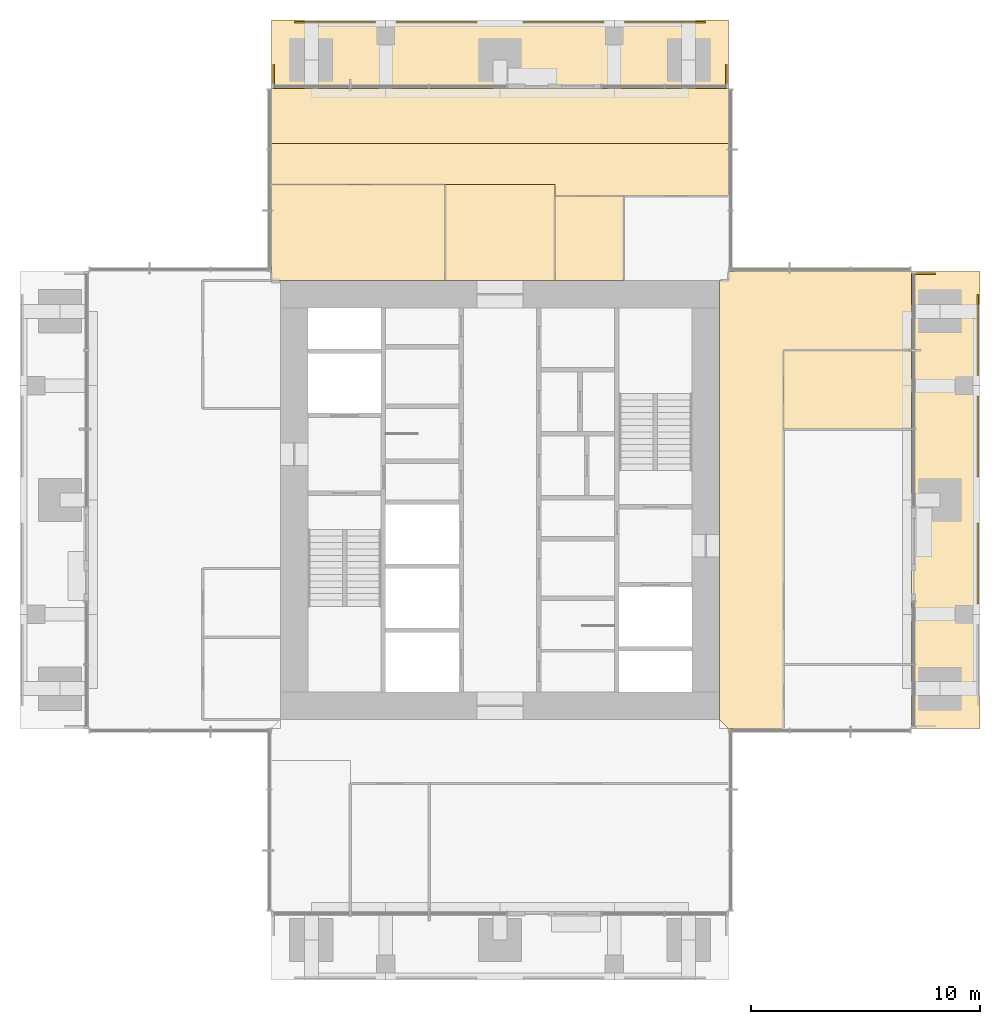
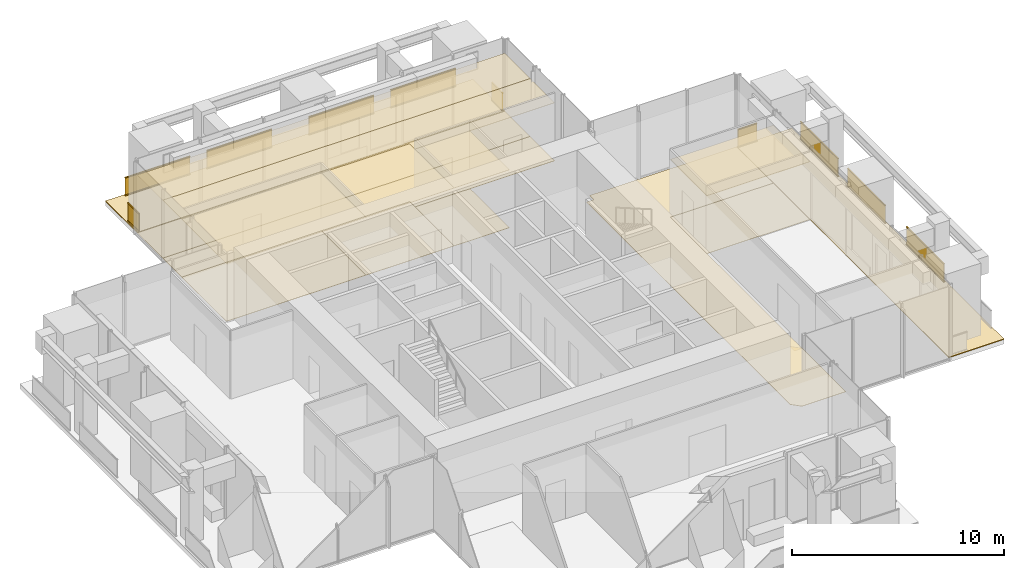
# One storey, part 11 of 12: 15 coverings, 10 railings.
"""IFC4 building model written with IfcOpenShell, lengths in metres."""

from ifc_helpers import new_model, si_unit, direction, frame, origin, origin_2d, place, context, subcontext, project, spatial, polyline, rectangle, outline, extrude, material, layer, layer_set, type_object, element, save


model = new_model("IFC4")

# Units and contexts
model_context = context("Model", 3, precision=1e-05, world=origin(), true_north=direction((0.0, 1.0)))
body_context = subcontext(model_context, "Body", "Model", "MODEL_VIEW")
ifc_project = project(units=[si_unit("LENGTHUNIT", "METRE"), si_unit("AREAUNIT", "SQUARE_METRE"), si_unit("VOLUMEUNIT", "CUBIC_METRE"), si_unit("PLANEANGLEUNIT", "RADIAN"), si_unit("MASSUNIT", "GRAM", prefix="KILO")], contexts=[model_context])

# Site, building, storey
site_placement = place(None, origin())
site = spatial("IfcSite", under=ifc_project, at=site_placement, CompositionType="ELEMENT")
building_placement = place(site_placement, origin())
building = spatial("IfcBuilding", under=site, at=building_placement, Name="Svetlomir Tower", CompositionType="ELEMENT")
storey_placement = place(building_placement, frame((0.0, 0.0, 260.800048828125)))
storey = spatial("IfcBuildingStorey", under=building, at=storey_placement, Name="L62", CompositionType="ELEMENT", Elevation=260.800048828125)

# Railings
ifc_material_1 = material(Name="Bronze anodised aluminium and laminated glass", Category="aluminium")
railing_type = type_object("IfcRailingType", Name="BALCONY GUARD GR1 1100", PredefinedType="GUARDRAIL", material=ifc_material_1)
for number, where, name in (
    (1, (41.89990234375, 16.449951171875, 0.0), "Loggia guard E L62 bay 2"),
    (2, (41.89990234375, 22.0, 0.0), "Loggia guard E L62 bay 3"),
    (3, (41.89990234375, 26.449951171875, 0.0), "Loggia guard E L62 bay 4"),
):
    element("IfcRailing", number, at=place(storey_placement, frame(where)), inside=storey, type_object=railing_type, Name=name, PredefinedType="GUARDRAIL", context=body_context, shape_type="SweptSolid", body=[
        extrude(rectangle(XDim=0.06005859375, YDim=0.10009765625, at=origin_2d()), frame((0.0, 0.0, 0.050048828125), z_axis=(0.0, 1.0, 0.0), x_axis=(-1.0, 0.0, 0.0)), (0.0, 0.0, 1.0), 3.550048828125),
        extrude(rectangle(XDim=0.021484375, YDim=0.960205078125, at=origin_2d()), frame((0.0, 0.0, 0.580078125), z_axis=(0.0, 1.0, 0.0), x_axis=(-1.0, 0.0, 0.0)), (0.0, 0.0, 1.0), 3.550048828125),
        extrude(rectangle(XDim=0.06005859375, YDim=0.0400390625, at=origin_2d()), frame((0.0, 0.0, 1.080078125), z_axis=(0.0, 1.0, 0.0), x_axis=(-1.0, 0.0, 0.0)), (0.0, 0.0, 1.0), 3.550048828125),
    ])
railing_placement = place(storey_placement, frame((40.050048828125, 30.89990234375, 0.0)))
element("IfcRailing", 4, at=railing_placement, inside=storey, type_object=railing_type, Name="Loggia guard E L62 end 2", PredefinedType="GUARDRAIL", context=body_context, shape_type="SweptSolid", body=[
    extrude(rectangle(XDim=0.06005859375, YDim=0.10009765625, at=origin_2d()), frame((0.0, 0.0, 0.050048828125), z_axis=(-1.0, 0.0, 0.0), x_axis=(0.0, -1.0, 0.0)), (0.0, 0.0, 1.0), 1.050048828125),
    extrude(rectangle(XDim=0.021484375, YDim=0.960205078125, at=origin_2d()), frame((0.0, 0.0, 0.580078125), z_axis=(-1.0, 0.0, 0.0), x_axis=(0.0, -1.0, 0.0)), (0.0, 0.0, 1.0), 1.050048828125),
    extrude(rectangle(XDim=0.06005859375, YDim=0.0400390625, at=origin_2d()), frame((0.0, 0.0, 1.080078125), z_axis=(-1.0, 0.0, 0.0), x_axis=(0.0, -1.0, 0.0)), (0.0, 0.0, 1.0), 1.050048828125),
])
for number, where, name in (
    (5, (12.0, 41.89990234375, 0.0), "Loggia guard N L62 bay 1"),
    (6, (16.449951171875, 41.89990234375, 0.0), "Loggia guard N L62 bay 2"),
    (7, (22.0, 41.89990234375, 0.0), "Loggia guard N L62 bay 3"),
    (8, (26.449951171875, 41.89990234375, 0.0), "Loggia guard N L62 bay 4"),
):
    element("IfcRailing", number, at=place(storey_placement, frame(where)), inside=storey, type_object=railing_type, Name=name, PredefinedType="GUARDRAIL", context=body_context, shape_type="SweptSolid", body=[
        extrude(rectangle(XDim=0.06005859375, YDim=0.10009765625, at=origin_2d()), frame((0.0, 0.0, 0.050048828125), z_axis=(1.0, 0.0, 0.0), x_axis=(0.0, 1.0, 0.0)), (0.0, 0.0, 1.0), 3.550048828125),
        extrude(rectangle(XDim=0.021484375, YDim=0.960205078125, at=origin_2d()), frame((0.0, 0.0, 0.580078125), z_axis=(1.0, 0.0, 0.0), x_axis=(0.0, 1.0, 0.0)), (0.0, 0.0, 1.0), 3.550048828125),
        extrude(rectangle(XDim=0.06005859375, YDim=0.0400390625, at=origin_2d()), frame((0.0, 0.0, 1.080078125), z_axis=(1.0, 0.0, 0.0), x_axis=(0.0, 1.0, 0.0)), (0.0, 0.0, 1.0), 3.550048828125),
    ])
for number, where, name in (
    (9, (11.10009765625, 40.050048828125, 0.0), "Loggia guard N L62 end 1"),
    (10, (30.89990234375, 40.050048828125, 0.0), "Loggia guard N L62 end 2"),
):
    element("IfcRailing", number, at=place(storey_placement, frame(where)), inside=storey, type_object=railing_type, Name=name, PredefinedType="GUARDRAIL", context=body_context, shape_type="SweptSolid", body=[
        extrude(rectangle(XDim=0.06005859375, YDim=0.10009765625, at=origin_2d()), frame((0.0, 0.0, 0.050048828125), z_axis=(0.0, -1.0, 0.0), x_axis=(1.0, 0.0, 0.0)), (0.0, 0.0, 1.0), 1.050048828125),
        extrude(rectangle(XDim=0.021484375, YDim=0.960205078125, at=origin_2d()), frame((0.0, 0.0, 0.580078125), z_axis=(0.0, -1.0, 0.0), x_axis=(1.0, 0.0, 0.0)), (0.0, 0.0, 1.0), 1.050048828125),
        extrude(rectangle(XDim=0.06005859375, YDim=0.0400390625, at=origin_2d()), frame((0.0, 0.0, 1.080078125), z_axis=(0.0, -1.0, 0.0), x_axis=(1.0, 0.0, 0.0)), (0.0, 0.0, 1.0), 1.050048828125),
    ])

# Coverings
ifc_material_2 = material(Name="Granite paving slabs on pedestals", Category="masonry")
ifc_layer_1 = layer(ifc_material_2, 0.0400390625)
ifc_layer_set_1 = layer_set([ifc_layer_1], Name="Granite paving slabs on pedestals")
covering_type_1 = type_object("IfcCoveringType", Name="BALCONY PAVING 40", PredefinedType="USERDEFINED", material=ifc_layer_set_1)
covering_1_placement = place(storey_placement, origin())
element("IfcCovering", 11, at=covering_1_placement, inside=storey, type_object=covering_type_1, Name="Loggia paving E L62", ObjectType="BALCONY PAVING", PredefinedType="USERDEFINED", context=body_context, shape_type="SweptSolid", body=[
    extrude(outline(polyline([(39.0, 11.0), (42.0, 11.0), (42.0, 31.0), (39.0, 31.0), (39.0, 11.0)])), origin(), (0.0, 0.0, 1.0), 0.0400390625),
])
covering_2_placement = place(storey_placement, origin())
element("IfcCovering", 12, at=covering_2_placement, inside=storey, type_object=covering_type_1, Name="Loggia paving N L62", ObjectType="BALCONY PAVING", PredefinedType="USERDEFINED", context=body_context, shape_type="SweptSolid", body=[
    extrude(outline(polyline([(11.0, 39.0), (31.0, 39.0), (31.0, 42.0), (11.0, 42.0), (11.0, 39.0)])), origin(), (0.0, 0.0, 1.0), 0.0400390625),
])
ifc_material_3 = material(Name="Engineered oak floor", Category="wood")
ifc_layer_2 = layer(ifc_material_3, 0.02001953125)
ifc_layer_set_2 = layer_set([ifc_layer_2], Name="Engineered oak floor")
covering_type_2 = type_object("IfcCoveringType", Name="OAK FLOOR 20", PredefinedType="FLOORING", material=ifc_layer_set_2)
covering_3_placement = place(storey_placement, origin())
element("IfcCovering", 13, at=covering_3_placement, inside=storey, type_object=covering_type_2, Name="Floor finish L62-23", PredefinedType="FLOORING", context=body_context, shape_type="SweptSolid", body=[
    extrude(outline(polyline([(33.39990234375, 24.10009765625), (39.0, 24.10009765625), (39.0, 27.550048828125), (33.39990234375, 27.550048828125), (33.39990234375, 24.10009765625)])), origin(), (0.0, 0.0, 1.0), 0.02001953125),
])
covering_4_placement = place(storey_placement, origin())
element("IfcCovering", 14, at=covering_4_placement, inside=storey, type_object=covering_type_2, Name="Floor finish L62-24", PredefinedType="FLOORING", context=body_context, shape_type="SweptSolid", body=[
    extrude(outline(polyline([(11.0, 30.60009765625), (18.60009765625, 30.60009765625), (18.60009765625, 34.800048828125), (11.0, 34.800048828125), (11.0, 30.60009765625)])), origin(), (0.0, 0.0, 1.0), 0.02001953125),
])
covering_5_placement = place(storey_placement, origin())
element("IfcCovering", 15, at=covering_5_placement, inside=storey, type_object=covering_type_2, Name="Floor finish L62-25", PredefinedType="FLOORING", context=body_context, shape_type="SweptSolid", body=[
    extrude(outline(polyline([(23.39990234375, 30.60009765625), (26.39990234375, 30.60009765625), (26.39990234375, 34.300048828125), (23.39990234375, 34.300048828125), (23.39990234375, 30.60009765625)])), origin(), (0.0, 0.0, 1.0), 0.02001953125),
])
covering_6_placement = place(storey_placement, origin())
element("IfcCovering", 16, at=covering_6_placement, inside=storey, type_object=covering_type_2, Name="Floor finish L62-31", PredefinedType="FLOORING", context=body_context, shape_type="SweptSolid", body=[
    extrude(outline(polyline([(23.39990234375, 34.800048828125), (11.0, 34.800048828125), (11.0, 36.60009765625), (31.0, 36.60009765625), (31.0, 34.300048828125), (23.39990234375, 34.300048828125), (23.39990234375, 34.800048828125)])), origin(), (0.0, 0.0, 1.0), 0.02001953125),
])
covering_7_placement = place(storey_placement, origin())
element("IfcCovering", 17, at=covering_7_placement, inside=storey, type_object=covering_type_2, Name="Floor finish L62-33", PredefinedType="FLOORING", context=body_context, shape_type="SweptSolid", body=[
    extrude(outline(polyline([(31.0, 30.60009765625), (31.0, 31.0), (39.0, 31.0), (39.0, 27.550048828125), (33.39990234375, 27.550048828125), (33.39990234375, 11.0), (31.0, 11.0), (30.60009765625, 11.39990234375), (30.60009765625, 30.60009765625), (31.0, 30.60009765625)])), origin(), (0.0, 0.0, 1.0), 0.02001953125),
])
covering_8_placement = place(storey_placement, origin())
element("IfcCovering", 18, at=covering_8_placement, inside=storey, type_object=covering_type_2, Name="Floor finish L62-34", PredefinedType="FLOORING", context=body_context, shape_type="SweptSolid", body=[
    extrude(outline(polyline([(18.60009765625, 30.60009765625), (18.60009765625, 34.800048828125), (23.39990234375, 34.800048828125), (23.39990234375, 30.60009765625), (18.60009765625, 30.60009765625)])), origin(), (0.0, 0.0, 1.0), 0.02001953125),
])
covering_9_placement = place(storey_placement, origin())
element("IfcCovering", 19, at=covering_9_placement, inside=storey, type_object=covering_type_2, Name="Floor finish L62-35", PredefinedType="FLOORING", context=body_context, shape_type="SweptSolid", body=[
    extrude(outline(polyline([(31.0, 39.0), (31.0, 36.60009765625), (11.0, 36.60009765625), (11.0, 39.0), (31.0, 39.0)])), origin(), (0.0, 0.0, 1.0), 0.02001953125),
])
ifc_material_4 = material(Name="Mineral fibre ceiling tile", Category="mineral")
ifc_layer_3 = layer(ifc_material_4, 0.02001953125)
ifc_layer_set_3 = layer_set([ifc_layer_3], Name="Mineral fibre ceiling tile")
covering_type_3 = type_object("IfcCoveringType", Name="SUSPENDED CEILING 20", PredefinedType="CEILING", material=ifc_layer_set_3)
covering_10_placement = place(storey_placement, frame((0.0, 0.0, 3.329833984375)))
element("IfcCovering", 20, at=covering_10_placement, inside=storey, type_object=covering_type_3, Name="Ceiling L62-23", PredefinedType="CEILING", context=body_context, shape_type="SweptSolid", body=[
    extrude(outline(polyline([(33.39990234375, 24.10009765625), (39.0, 24.10009765625), (39.0, 27.550048828125), (33.39990234375, 27.550048828125), (33.39990234375, 24.10009765625)])), origin(), (0.0, 0.0, 1.0), 0.02001953125),
])
covering_11_placement = place(storey_placement, frame((0.0, 0.0, 3.329833984375)))
element("IfcCovering", 21, at=covering_11_placement, inside=storey, type_object=covering_type_3, Name="Ceiling L62-24", PredefinedType="CEILING", context=body_context, shape_type="SweptSolid", body=[
    extrude(outline(polyline([(11.0, 30.60009765625), (18.60009765625, 30.60009765625), (18.60009765625, 34.800048828125), (11.0, 34.800048828125), (11.0, 30.60009765625)])), origin(), (0.0, 0.0, 1.0), 0.02001953125),
])
covering_12_placement = place(storey_placement, frame((0.0, 0.0, 3.329833984375)))
element("IfcCovering", 22, at=covering_12_placement, inside=storey, type_object=covering_type_3, Name="Ceiling L62-25", PredefinedType="CEILING", context=body_context, shape_type="SweptSolid", body=[
    extrude(outline(polyline([(23.39990234375, 30.60009765625), (26.39990234375, 30.60009765625), (26.39990234375, 34.300048828125), (23.39990234375, 34.300048828125), (23.39990234375, 30.60009765625)])), origin(), (0.0, 0.0, 1.0), 0.02001953125),
])
covering_13_placement = place(storey_placement, frame((0.0, 0.0, 3.329833984375)))
element("IfcCovering", 23, at=covering_13_placement, inside=storey, type_object=covering_type_3, Name="Ceiling L62-31", PredefinedType="CEILING", context=body_context, shape_type="SweptSolid", body=[
    extrude(outline(polyline([(23.39990234375, 34.800048828125), (11.0, 34.800048828125), (11.0, 36.60009765625), (31.0, 36.60009765625), (31.0, 34.300048828125), (23.39990234375, 34.300048828125), (23.39990234375, 34.800048828125)])), origin(), (0.0, 0.0, 1.0), 0.02001953125),
])
covering_14_placement = place(storey_placement, frame((0.0, 0.0, 3.329833984375)))
element("IfcCovering", 24, at=covering_14_placement, inside=storey, type_object=covering_type_3, Name="Ceiling L62-34", PredefinedType="CEILING", context=body_context, shape_type="SweptSolid", body=[
    extrude(outline(polyline([(18.60009765625, 30.60009765625), (18.60009765625, 34.800048828125), (23.39990234375, 34.800048828125), (23.39990234375, 30.60009765625), (18.60009765625, 30.60009765625)])), origin(), (0.0, 0.0, 1.0), 0.02001953125),
])
covering_15_placement = place(storey_placement, frame((0.0, 0.0, 3.329833984375)))
element("IfcCovering", 25, at=covering_15_placement, inside=storey, type_object=covering_type_3, Name="Ceiling L62-35", PredefinedType="CEILING", context=body_context, shape_type="SweptSolid", body=[
    extrude(outline(polyline([(31.0, 39.0), (31.0, 36.60009765625), (11.0, 36.60009765625), (11.0, 39.0), (31.0, 39.0)])), origin(), (0.0, 0.0, 1.0), 0.02001953125),
])

save(model, "model.ifc")
